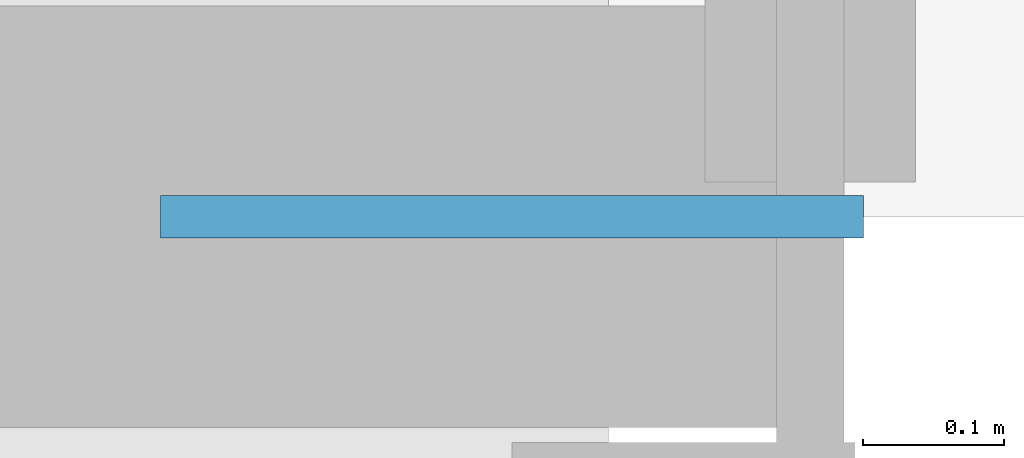
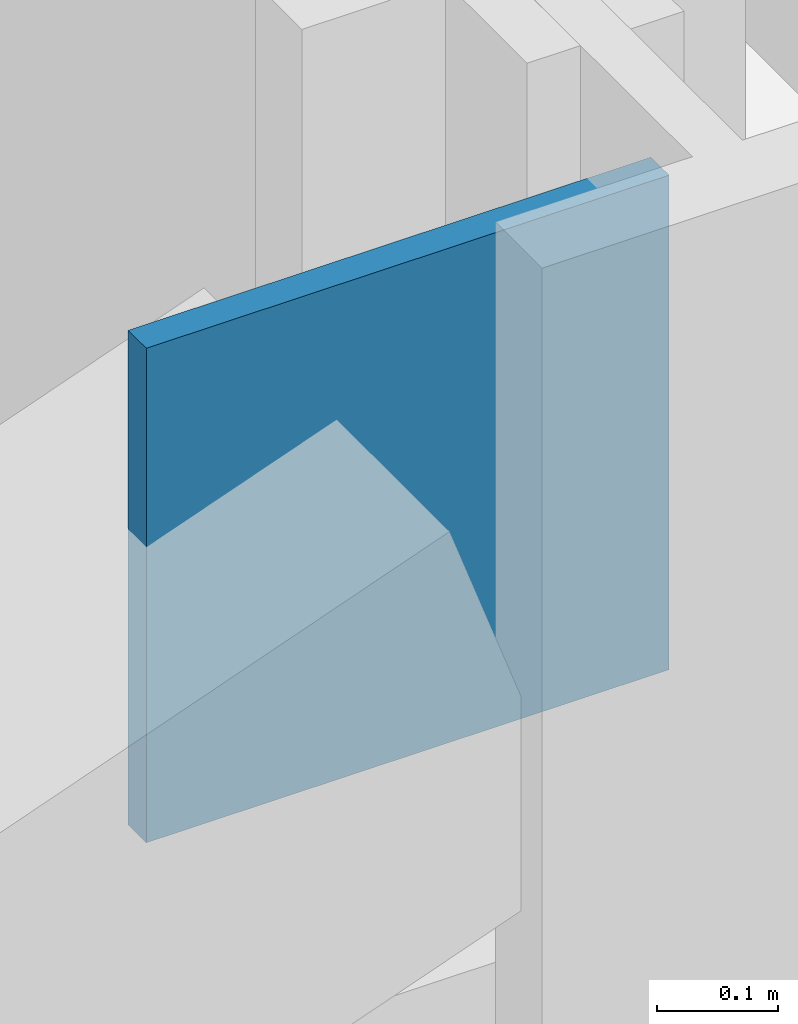
# One storey, part 21 of 30: 1 discrete accessory.
"""IFC4 building model written with IfcOpenShell, lengths in metres."""

from ifc_helpers import new_model, si_unit, direction, frame, origin, origin_2d, place, context, subcontext, project, spatial, rectangle, extrude, material, layer, layer_set, type_object, element, save


model = new_model("IFC4")

# Units and contexts
model_context = context("Model", 3, precision=1e-05, world=origin(), true_north=direction((0.0, 1.0)))
body_context = subcontext(model_context, "Body", "Model", "MODEL_VIEW")
ifc_project = project(units=[si_unit("LENGTHUNIT", "METRE"), si_unit("AREAUNIT", "SQUARE_METRE"), si_unit("VOLUMEUNIT", "CUBIC_METRE"), si_unit("PLANEANGLEUNIT", "RADIAN"), si_unit("MASSUNIT", "GRAM", prefix="KILO")], contexts=[model_context])

# Site, building, storey
site_placement = place(None, origin())
site = spatial("IfcSite", under=ifc_project, at=site_placement, CompositionType="ELEMENT")
building_placement = place(site_placement, origin())
building = spatial("IfcBuilding", under=site, at=building_placement, Name="Mahtab Terrace Research Tower", CompositionType="ELEMENT")
storey_placement = place(building_placement, frame((0.0, 0.0, 50.300048828125)))
storey = spatial("IfcBuildingStorey", under=building, at=storey_placement, Name="L11", CompositionType="ELEMENT", Elevation=50.300048828125)

# Discrete accessory
ifc_material = material(Name="Steel ASTM A992 Gr 50", Category="steel")
ifc_layer = layer(ifc_material, 0.030029296875)
ifc_layer_set = layer_set([ifc_layer], Name="Gusset plate 500x500x30")
discrete_accessory_type = type_object("IfcDiscreteAccessoryType", Name="Gusset plate 500x500x30", PredefinedType="USERDEFINED", material=ifc_layer_set)
discrete_accessory_placement = place(storey_placement, frame((17.787841796875, -23.0, 3.33154296875), z_axis=(0.0, 0.0, 1.0), x_axis=(1.0, 0.0, 0.0)))
element("IfcDiscreteAccessory", 1, at=discrete_accessory_placement, inside=storey, type_object=discrete_accessory_type, Name="Gusset plate", ObjectType="GUSSET PLATE", PredefinedType="USERDEFINED", context=body_context, shape_type="SweptSolid", body=[
    extrude(rectangle(XDim=0.5, YDim=0.030029296875, at=origin_2d()), origin(), (0.0, 0.0, 1.0), 0.5),
])

save(model, "model.ifc")
